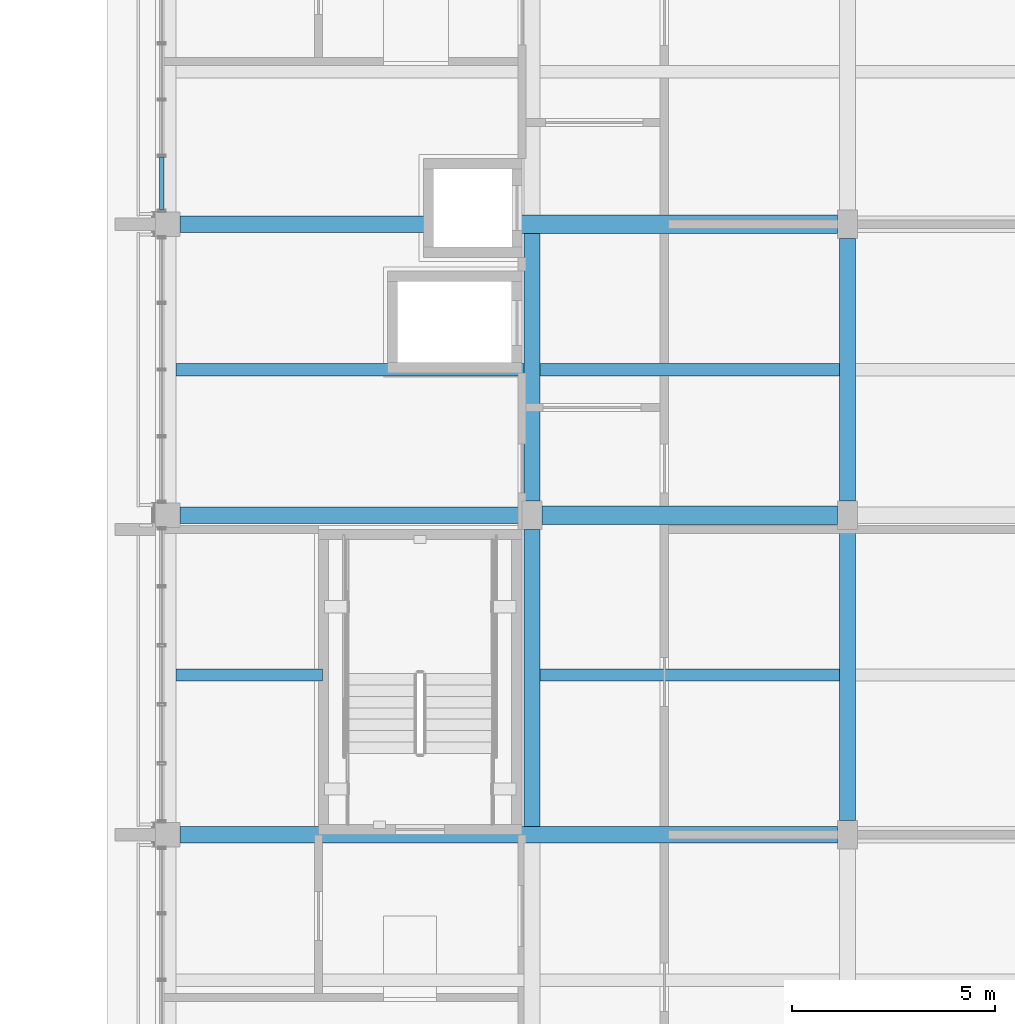
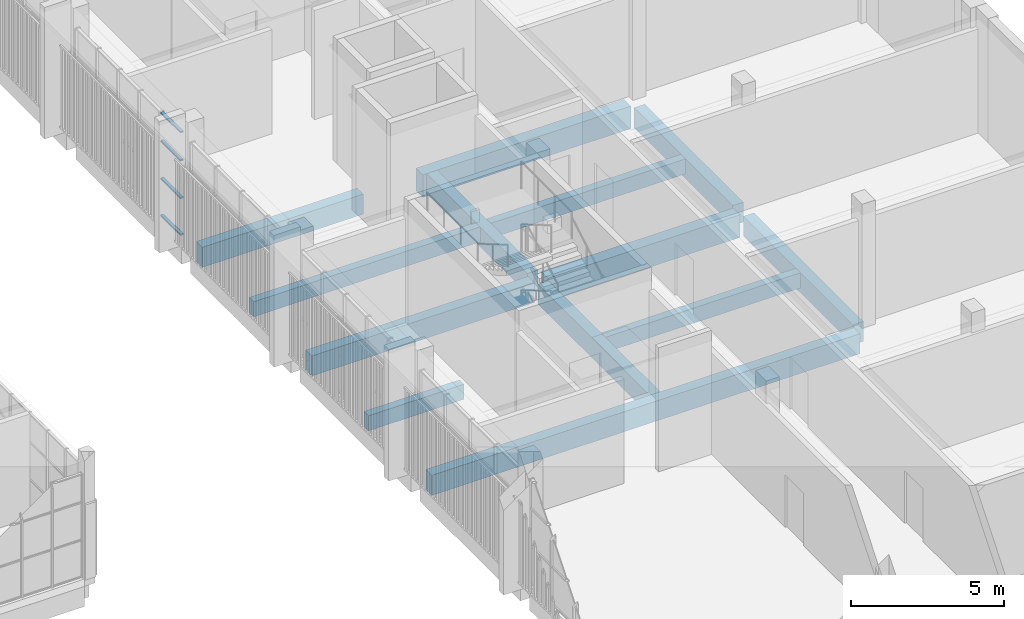
# One storey, part 42 of 125: 13 beams, 4 members, 1 element without a shape of its own.
"""IFC4 building model written with IfcOpenShell, lengths in metres."""

from ifc_helpers import new_model, si_unit, direction, frame, origin, origin_2d, place, context, subcontext, project, spatial, rectangle, hollow_rectangle, extrude, material, material_profile, profile_set, type_object, element, aggregate, save


model = new_model("IFC4")

# Units and contexts
model_context = context("Model", 3, precision=1e-05, world=origin(), true_north=direction((0.0, 1.0)))
body_context = subcontext(model_context, "Body", "Model", "MODEL_VIEW")
ifc_project = project(units=[si_unit("LENGTHUNIT", "METRE"), si_unit("AREAUNIT", "SQUARE_METRE"), si_unit("VOLUMEUNIT", "CUBIC_METRE"), si_unit("PLANEANGLEUNIT", "RADIAN"), si_unit("MASSUNIT", "GRAM", prefix="KILO")], contexts=[model_context])

# Site, building, storey
site_placement = place(None, origin())
site = spatial("IfcSite", under=ifc_project, at=site_placement, CompositionType="ELEMENT")
building_placement = place(site_placement, origin())
building = spatial("IfcBuilding", under=site, at=building_placement, Name="Sun Court Science Centre", CompositionType="ELEMENT")
storey_placement = place(building_placement, frame((0.0, 0.0, 6.0)))
storey = spatial("IfcBuildingStorey", under=building, at=storey_placement, Name="L01", CompositionType="ELEMENT", Elevation=6.0)

# Curtain wall, members
ifc_material_1 = material(Name="Aluminium EN AW-6063 T6", Category="aluminium")
curtain_wall_type = type_object("IfcCurtainWallType", Name="Laboratory tall bay curtain wall 1500", PredefinedType="NOTDEFINED", material=ifc_material_1)
curtain_wall_placement = place(storey_placement, origin())
curtain_wall = element("IfcCurtainWall", 1, at=curtain_wall_placement, inside=storey, type_object=curtain_wall_type, Name="Curtain wall V4 W L01 06", PredefinedType="NOTDEFINED")
ifc_material_2 = material(Name="Aluminium EN AW-6063 T6", Category="aluminium")
ifc_material_profile_1 = material_profile(ifc_material_2, hollow_rectangle(XDim=0.06005859375, YDim=0.1201171875, WallThickness=0.00390625, InnerFilletRadius=0.00390625, OuterFilletRadius=0.006103515625, at=origin_2d()), Name="AL 60x120x4")
ifc_profile_set_1 = profile_set([ifc_material_profile_1], Name="Aluminium EN AW-6063 T6")
member_type = type_object("IfcMemberType", Name="Curtain wall transom AL 60x120", PredefinedType="USERDEFINED", material=ifc_profile_set_1)
member_1_placement = place(storey_placement, frame((78.14990234375, 51.360107421875, 0.030029296875), z_axis=(0.0, 1.0, 0.0), x_axis=(0.0, 0.0, 1.0)))
member_1 = element("IfcMember", 2, at=member_1_placement, type_object=member_type, Name="CW2-15 transom 1.1", ObjectType="TRANSOM", PredefinedType="USERDEFINED", context=body_context, shape_type="SweptSolid", body=[
    extrude(hollow_rectangle(XDim=0.06005859375, YDim=0.1201171875, WallThickness=0.00390625, InnerFilletRadius=0.00390625, OuterFilletRadius=0.006103515625, at=origin_2d()), origin(), (0.0, 0.0, 1.0), 1.289794921875),
])
member_2_placement = place(storey_placement, frame((78.14990234375, 51.360107421875, 1.5), z_axis=(0.0, 1.0, 0.0), x_axis=(0.0, 0.0, 1.0)))
member_2 = element("IfcMember", 3, at=member_2_placement, type_object=member_type, Name="CW2-15 transom 1.2", ObjectType="TRANSOM", PredefinedType="USERDEFINED", context=body_context, shape_type="SweptSolid", body=[
    extrude(hollow_rectangle(XDim=0.06005859375, YDim=0.1201171875, WallThickness=0.00390625, InnerFilletRadius=0.00390625, OuterFilletRadius=0.006103515625, at=origin_2d()), origin(), (0.0, 0.0, 1.0), 1.289794921875),
])
member_3_placement = place(storey_placement, frame((78.14990234375, 51.360107421875, 3.0), z_axis=(0.0, 1.0, 0.0), x_axis=(0.0, 0.0, 1.0)))
member_3 = element("IfcMember", 4, at=member_3_placement, type_object=member_type, Name="CW2-15 transom 1.3", ObjectType="TRANSOM", PredefinedType="USERDEFINED", context=body_context, shape_type="SweptSolid", body=[
    extrude(hollow_rectangle(XDim=0.06005859375, YDim=0.1201171875, WallThickness=0.00390625, InnerFilletRadius=0.00390625, OuterFilletRadius=0.006103515625, at=origin_2d()), origin(), (0.0, 0.0, 1.0), 1.289794921875),
])
member_4_placement = place(storey_placement, frame((78.14990234375, 51.360107421875, 4.1201171875), z_axis=(0.0, 1.0, 0.0), x_axis=(0.0, 0.0, 1.0)))
member_4 = element("IfcMember", 5, at=member_4_placement, type_object=member_type, Name="CW2-15 transom 1.4", ObjectType="TRANSOM", PredefinedType="USERDEFINED", context=body_context, shape_type="SweptSolid", body=[
    extrude(hollow_rectangle(XDim=0.06005859375, YDim=0.1201171875, WallThickness=0.00390625, InnerFilletRadius=0.00390625, OuterFilletRadius=0.006103515625, at=origin_2d()), origin(), (0.0, 0.0, 1.0), 1.289794921875),
])
aggregate(curtain_wall, [member_1, member_2, member_3, member_4])

# Beams
ifc_material_3 = material(Name="Concrete C25/30", Category="concrete")
ifc_material_profile_2 = material_profile(ifc_material_3, rectangle(XDim=0.39990234375, YDim=0.800048828125, at=origin_2d()), Name="RC 400x800")
ifc_profile_set_2 = profile_set([ifc_material_profile_2], Name="Concrete C25/30")
beam_type_1 = type_object("IfcBeamType", Name="RC girder 400x800", PredefinedType="BEAM", material=ifc_profile_set_2)
beam_1_placement = place(storey_placement, frame((78.60009765625, 36.0, -0.699951171875), z_axis=(1.0, 0.0, 0.0), x_axis=(0.0, 1.0, 0.0)))
element("IfcBeam", 6, at=beam_1_placement, inside=storey, type_object=beam_type_1, Name="Girder L01 row 5", PredefinedType="BEAM", context=body_context, shape_type="SweptSolid", body=[
    extrude(rectangle(XDim=0.39990234375, YDim=0.800048828125, at=origin_2d()), origin(), (0.0, 0.0, 1.0), 16.14990234375),
])
beam_2_placement = place(storey_placement, frame((78.60009765625, 43.85009765625, -0.699951171875), z_axis=(1.0, 0.0, 0.0), x_axis=(0.0, 1.0, 0.0)))
element("IfcBeam", 7, at=beam_2_placement, inside=storey, type_object=beam_type_1, Name="Girder L01 row 6", PredefinedType="BEAM", context=body_context, shape_type="SweptSolid", body=[
    extrude(rectangle(XDim=0.39990234375, YDim=0.800048828125, at=origin_2d()), origin(), (0.0, 0.0, 1.0), 8.39990234375),
])
beam_3_placement = place(storey_placement, frame((78.60009765625, 51.0, -0.699951171875), z_axis=(1.0, 0.0, 0.0), x_axis=(0.0, 1.0, 0.0)))
element("IfcBeam", 8, at=beam_3_placement, inside=storey, type_object=beam_type_1, Name="Girder L01 row 7", PredefinedType="BEAM", context=body_context, shape_type="SweptSolid", body=[
    extrude(rectangle(XDim=0.39990234375, YDim=0.800048828125, at=origin_2d()), origin(), (0.0, 0.0, 1.0), 6.077392578125),
])
beam_4_placement = place(storey_placement, frame((87.25, 36.199951171875, -0.699951171875), z_axis=(0.0, 1.0, 0.0), x_axis=(-1.0, 0.0, 0.0)))
element("IfcBeam", 9, at=beam_4_placement, inside=storey, type_object=beam_type_1, Name="Girder L01 line 2", PredefinedType="BEAM", context=body_context, shape_type="SweptSolid", body=[
    extrude(rectangle(XDim=0.39990234375, YDim=0.800048828125, at=origin_2d()), origin(), (0.0, 0.0, 1.0), 7.300048828125),
])
beam_5_placement = place(storey_placement, frame((87.25, 44.199951171875, -0.699951171875), z_axis=(0.0, 1.0, 0.0), x_axis=(-1.0, 0.0, 0.0)))
element("IfcBeam", 10, at=beam_5_placement, inside=storey, type_object=beam_type_1, Name="Girder L01 line 2", PredefinedType="BEAM", context=body_context, shape_type="SweptSolid", body=[
    extrude(rectangle(XDim=0.39990234375, YDim=0.800048828125, at=origin_2d()), origin(), (0.0, 0.0, 1.0), 6.574951171875),
])
beam_6_placement = place(storey_placement, frame((95.0, 36.35009765625, -0.699951171875), z_axis=(0.0, 1.0, 0.0), x_axis=(-1.0, 0.0, 0.0)))
element("IfcBeam", 11, at=beam_6_placement, inside=storey, type_object=beam_type_1, Name="Girder L01 line 3", PredefinedType="BEAM", context=body_context, shape_type="SweptSolid", body=[
    extrude(rectangle(XDim=0.39990234375, YDim=0.800048828125, at=origin_2d()), origin(), (0.0, 0.0, 1.0), 7.14990234375),
])
beam_7_placement = place(storey_placement, frame((95.0, 44.199951171875, -0.699951171875), z_axis=(0.0, 1.0, 0.0), x_axis=(-1.0, 0.0, 0.0)))
element("IfcBeam", 12, at=beam_7_placement, inside=storey, type_object=beam_type_1, Name="Girder L01 line 3", PredefinedType="BEAM", context=body_context, shape_type="SweptSolid", body=[
    extrude(rectangle(XDim=0.39990234375, YDim=0.800048828125, at=origin_2d()), origin(), (0.0, 0.0, 1.0), 6.449951171875),
])
ifc_material_4 = material(Name="Concrete C25/30", Category="concrete")
ifc_material_profile_3 = material_profile(ifc_material_4, rectangle(XDim=0.449951171875, YDim=0.89990234375, at=origin_2d()), Name="RC 450x900")
ifc_profile_set_3 = profile_set([ifc_material_profile_3], Name="Concrete C25/30")
beam_type_2 = type_object("IfcBeamType", Name="RC girder 450x900", PredefinedType="BEAM", material=ifc_profile_set_3)
beam_8_placement = place(storey_placement, frame((87.5, 43.85009765625, -0.75), z_axis=(1.0, 0.0, 0.0), x_axis=(0.0, 1.0, 0.0)))
element("IfcBeam", 13, at=beam_8_placement, inside=storey, type_object=beam_type_2, Name="Girder L01 row 6", PredefinedType="BEAM", context=body_context, shape_type="SweptSolid", body=[
    extrude(rectangle(XDim=0.449951171875, YDim=0.89990234375, at=origin_2d()), origin(), (0.0, 0.0, 1.0), 7.25),
])
beam_9_placement = place(storey_placement, frame((86.902587890625, 51.0, -0.75), z_axis=(1.0, 0.0, 0.0), x_axis=(0.0, 1.0, 0.0)))
element("IfcBeam", 14, at=beam_9_placement, inside=storey, type_object=beam_type_2, Name="Girder L01 row 7", PredefinedType="BEAM", context=body_context, shape_type="SweptSolid", body=[
    extrude(rectangle(XDim=0.449951171875, YDim=0.89990234375, at=origin_2d()), origin(), (0.0, 0.0, 1.0), 7.847412109375),
])
ifc_material_5 = material(Name="Concrete C25/30", Category="concrete")
ifc_material_profile_4 = material_profile(ifc_material_5, rectangle(XDim=0.300048828125, YDim=0.60009765625, at=origin_2d()), Name="RC 300x600")
ifc_profile_set_4 = profile_set([ifc_material_profile_4], Name="Concrete C25/30")
beam_type_3 = type_object("IfcBeamType", Name="RC joist 300x600", PredefinedType="JOIST", material=ifc_profile_set_4)
beam_10_placement = place(storey_placement, frame((78.5, 39.925048828125, -0.60009765625), z_axis=(1.0, 0.0, 0.0), x_axis=(0.0, 1.0, 0.0)))
element("IfcBeam", 15, at=beam_10_placement, inside=storey, type_object=beam_type_3, Name="Joist L01", PredefinedType="JOIST", context=body_context, shape_type="SweptSolid", body=[
    extrude(rectangle(XDim=0.300048828125, YDim=0.60009765625, at=origin_2d()), origin(), (0.0, 0.0, 1.0), 3.60009765625),
])
beam_11_placement = place(storey_placement, frame((87.449951171875, 39.925048828125, -0.60009765625), z_axis=(1.0, 0.0, 0.0), x_axis=(0.0, 1.0, 0.0)))
element("IfcBeam", 16, at=beam_11_placement, inside=storey, type_object=beam_type_3, Name="Joist L01", PredefinedType="JOIST", context=body_context, shape_type="SweptSolid", body=[
    extrude(rectangle(XDim=0.300048828125, YDim=0.60009765625, at=origin_2d()), origin(), (0.0, 0.0, 1.0), 7.35009765625),
])
beam_12_placement = place(storey_placement, frame((78.5, 47.425048828125, -0.60009765625), z_axis=(1.0, 0.0, 0.0), x_axis=(0.0, 1.0, 0.0)))
element("IfcBeam", 17, at=beam_12_placement, inside=storey, type_object=beam_type_3, Name="Joist L01", PredefinedType="JOIST", context=body_context, shape_type="SweptSolid", body=[
    extrude(rectangle(XDim=0.300048828125, YDim=0.60009765625, at=origin_2d()), origin(), (0.0, 0.0, 1.0), 8.550048828125),
])
beam_13_placement = place(storey_placement, frame((87.449951171875, 47.425048828125, -0.60009765625), z_axis=(1.0, 0.0, 0.0), x_axis=(0.0, 1.0, 0.0)))
element("IfcBeam", 18, at=beam_13_placement, inside=storey, type_object=beam_type_3, Name="Joist L01", PredefinedType="JOIST", context=body_context, shape_type="SweptSolid", body=[
    extrude(rectangle(XDim=0.300048828125, YDim=0.60009765625, at=origin_2d()), origin(), (0.0, 0.0, 1.0), 7.35009765625),
])

save(model, "model.ifc")
